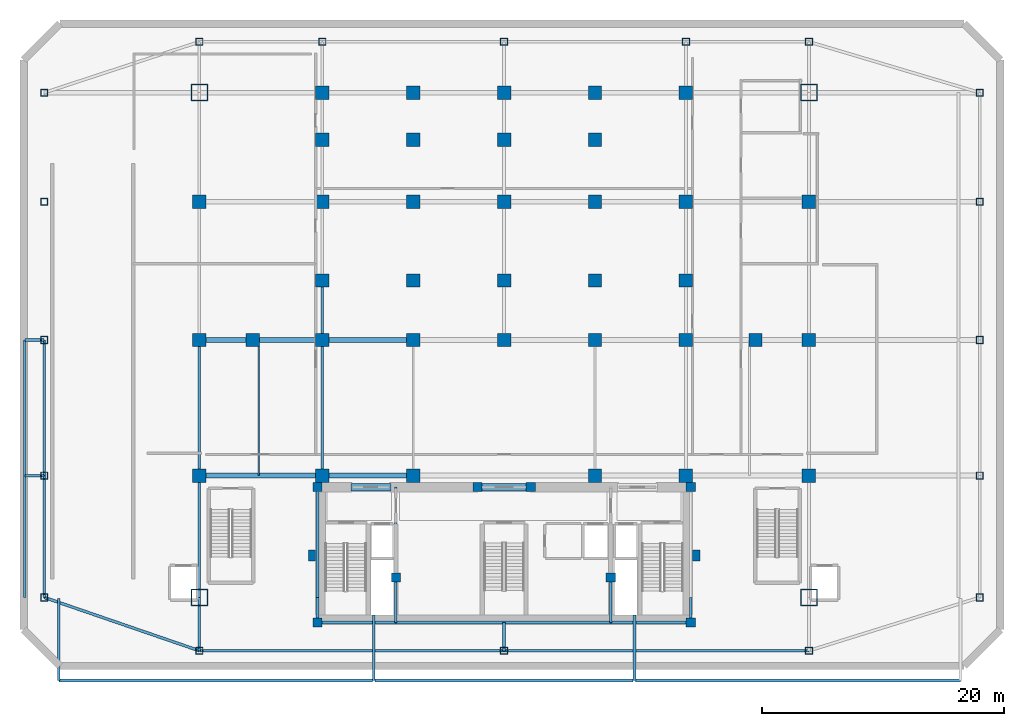
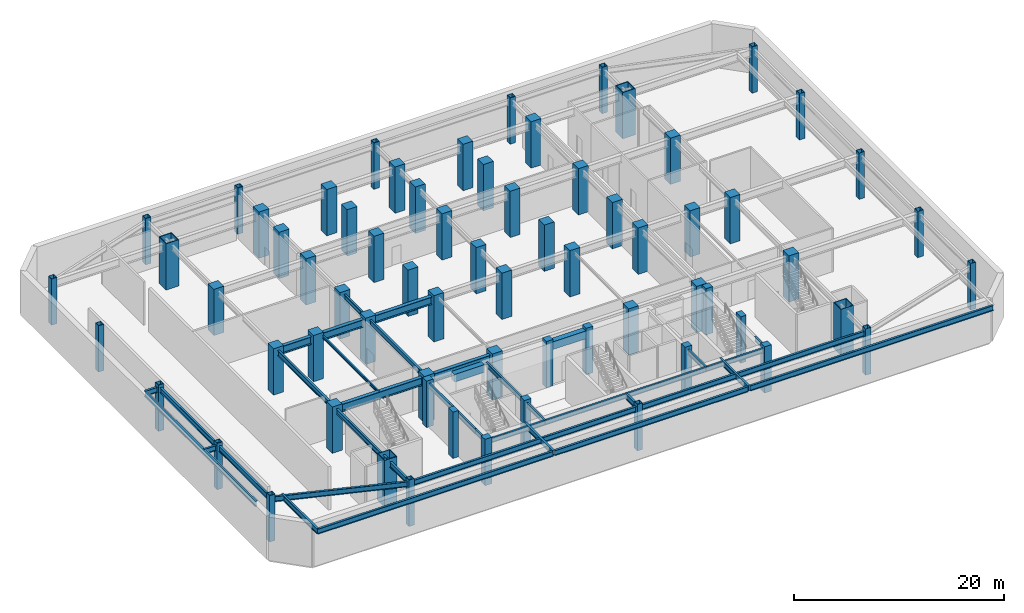
# One storey, part 1 of 9: 68 columns, 37 beams.
"""IFC4 building model written with IfcOpenShell, lengths in metres."""

from ifc_helpers import new_model, si_unit, direction, frame, origin, origin_2d, place, context, subcontext, project, spatial, rectangle, hollow_rectangle, i_section, extrude, material, material_profile, profile_set, type_object, element, save


model = new_model("IFC4")

# Units and contexts
model_context = context("Model", 3, precision=1e-05, world=origin(), true_north=direction((0.0, 1.0)))
body_context = subcontext(model_context, "Body", "Model", "MODEL_VIEW")
ifc_project = project(units=[si_unit("LENGTHUNIT", "METRE"), si_unit("AREAUNIT", "SQUARE_METRE"), si_unit("VOLUMEUNIT", "CUBIC_METRE"), si_unit("PLANEANGLEUNIT", "RADIAN"), si_unit("MASSUNIT", "GRAM", prefix="KILO")], contexts=[model_context])

# Site, building, storey
site_placement = place(None, origin())
site = spatial("IfcSite", under=ifc_project, at=site_placement, CompositionType="ELEMENT")
building_placement = place(site_placement, origin())
building = spatial("IfcBuilding", under=site, at=building_placement, Name="Ventersveld Concourse Tower", CompositionType="ELEMENT")
storey_placement = place(building_placement, frame((0.0, 0.0, -5.39990234375)))
storey = spatial("IfcBuildingStorey", under=building, at=storey_placement, Name="B01", CompositionType="ELEMENT", Elevation=-5.39990234375)

# Columns
ifc_material_1 = material(Name="Structural steel S355ML", Category="steel")
ifc_material_profile_1 = material_profile(ifc_material_1, hollow_rectangle(XDim=0.60009765625, YDim=0.60009765625, WallThickness=0.0400390625, at=origin_2d()), Name="BOX 600x600x40")
ifc_profile_set_1 = profile_set([ifc_material_profile_1], Name="Structural steel S355ML")
column_type_1 = type_object("IfcColumnType", Name="COL-BOX600", PredefinedType="COLUMN", material=ifc_profile_set_1)
for number, where, z_axis, x_axis, name in (
    (1, (-9.199951171875, 2.35009765625, 0.0), (0.0, 0.0, 1.0), (1.0, 0.0, 0.0), "B01 Podium Perimeter Column 01"),
    (2, (-9.199951171875, 12.39990234375, 0.0), (0.0, 0.0, 1.0), (1.0, 0.0, 0.0), "B01 Podium Perimeter Column 02"),
    (3, (-9.199951171875, 23.60009765625, 0.0), (0.0, 0.0, 1.0), (1.0, 0.0, 0.0), "B01 Podium Perimeter Column 03"),
    (4, (-9.199951171875, 35.0, 0.0), (0.0, 0.0, 1.0), (1.0, 0.0, 0.0), "B01 Podium Perimeter Column 04"),
    (5, (-9.199951171875, 44.0, 0.0), (0.0, 0.0, 1.0), (1.0, 0.0, 0.0), "B01 Podium Perimeter Column 05"),
    (6, (68.0, 2.35009765625, 0.0), (0.0, 0.0, 1.0), (1.0, 0.0, 0.0), "B01 Podium Perimeter Column 06"),
    (7, (68.0, 12.39990234375, 0.0), (0.0, 0.0, 1.0), (1.0, 0.0, 0.0), "B01 Podium Perimeter Column 07"),
    (8, (68.0, 23.60009765625, 0.0), (0.0, 0.0, 1.0), (1.0, 0.0, 0.0), "B01 Podium Perimeter Column 08"),
    (9, (68.0, 35.0, 0.0), (0.0, 0.0, 1.0), (1.0, 0.0, 0.0), "B01 Podium Perimeter Column 09"),
    (10, (68.0, 44.0, 0.0), (0.0, 0.0, 1.0), (1.0, 0.0, 0.0), "B01 Podium Perimeter Column 10"),
    (11, (3.60009765625, 48.199951171875, 0.0), (0.0, 0.0, 1.0), (1.0, 0.0, 0.0), "B01 Podium Perimeter Column 11"),
    (12, (13.75, 48.199951171875, 0.0), (0.0, 0.0, 1.0), (1.0, 0.0, 0.0), "B01 Podium Perimeter Column 12"),
    (13, (28.75, 48.199951171875, 0.0), (0.0, 0.0, 1.0), (1.0, 0.0, 0.0), "B01 Podium Perimeter Column 13"),
    (14, (43.75, 48.199951171875, 0.0), (0.0, 0.0, 1.0), (1.0, 0.0, 0.0), "B01 Podium Perimeter Column 14"),
    (15, (53.89990234375, 48.199951171875, 0.0), (0.0, 0.0, 1.0), (1.0, 0.0, 0.0), "B01 Podium Perimeter Column 15"),
    (16, (3.60009765625, -2.050048828125, 0.0), (0.0, 0.0, 1.0), (1.0, 0.0, 0.0), "B01 Podium Perimeter Column 16"),
    (17, (28.75, -2.050048828125, 0.0), (0.0, 0.0, 1.0), (1.0, 0.0, 0.0), "B01 Podium Perimeter Column 17"),
    (18, (53.89990234375, -2.050048828125, 0.0), (0.0, 0.0, 1.0), (1.0, 0.0, 0.0), "B01 Podium Perimeter Column 18"),
):
    element("IfcColumn", number, at=place(storey_placement, frame(where, z_axis=z_axis, x_axis=x_axis)), inside=storey, type_object=column_type_1, Name=name, PredefinedType="COLUMN", context=body_context, shape_type="SweptSolid", body=[
        extrude(hollow_rectangle(XDim=0.60009765625, YDim=0.60009765625, WallThickness=0.0400390625, at=origin_2d()), origin(), (0.0, 0.0, 1.0), 5.39990234375),
    ])
ifc_material_2 = material(Name="Concrete C60/75", Category="concrete")
ifc_material_profile_2 = material_profile(ifc_material_2, rectangle(XDim=1.10009765625, YDim=1.10009765625, at=origin_2d()), Name="RC 1100x1100")
ifc_profile_set_2 = profile_set([ifc_material_profile_2], Name="Concrete C60/75")
column_type_2 = type_object("IfcColumnType", Name="COL-RC1100", PredefinedType="COLUMN", material=ifc_profile_set_2)
for number, where, z_axis, x_axis, name in (
    (19, (3.60009765625, 12.39990234375, 0.0), (0.0, 0.0, 1.0), (1.0, 0.0, 0.0), "B01 Station Grid Column G1B-C"),
    (20, (3.60009765625, 23.60009765625, 0.0), (0.0, 0.0, 1.0), (1.0, 0.0, 0.0), "B01 Station Grid Column G1B-D"),
    (21, (3.60009765625, 35.0, 0.0), (0.0, 0.0, 1.0), (1.0, 0.0, 0.0), "B01 Station Grid Column G1B-E"),
    (22, (13.75, 12.39990234375, 0.0), (0.0, 0.0, 1.0), (1.0, 0.0, 0.0), "B01 Station Grid Column G3-C"),
    (23, (13.75, 23.60009765625, 0.0), (0.0, 0.0, 1.0), (1.0, 0.0, 0.0), "B01 Station Grid Column G3-D"),
    (24, (13.75, 35.0, 0.0), (0.0, 0.0, 1.0), (1.0, 0.0, 0.0), "B01 Station Grid Column G3-E"),
    (25, (13.75, 44.0, 0.0), (0.0, 0.0, 1.0), (1.0, 0.0, 0.0), "B01 Station Grid Column G3-F"),
    (26, (28.75, 23.60009765625, 0.0), (0.0, 0.0, 1.0), (1.0, 0.0, 0.0), "B01 Station Grid Column G5-D"),
    (27, (28.75, 35.0, 0.0), (0.0, 0.0, 1.0), (1.0, 0.0, 0.0), "B01 Station Grid Column G5-E"),
    (28, (28.75, 44.0, 0.0), (0.0, 0.0, 1.0), (1.0, 0.0, 0.0), "B01 Station Grid Column G5-F"),
    (29, (43.75, 12.39990234375, 0.0), (0.0, 0.0, 1.0), (1.0, 0.0, 0.0), "B01 Station Grid Column G7-C"),
    (30, (43.75, 23.60009765625, 0.0), (0.0, 0.0, 1.0), (1.0, 0.0, 0.0), "B01 Station Grid Column G7-D"),
    (31, (43.75, 35.0, 0.0), (0.0, 0.0, 1.0), (1.0, 0.0, 0.0), "B01 Station Grid Column G7-E"),
    (32, (43.75, 44.0, 0.0), (0.0, 0.0, 1.0), (1.0, 0.0, 0.0), "B01 Station Grid Column G7-F"),
    (33, (53.89990234375, 12.39990234375, 0.0), (0.0, 0.0, 1.0), (1.0, 0.0, 0.0), "B01 Station Grid Column G8B-C"),
    (34, (53.89990234375, 23.60009765625, 0.0), (0.0, 0.0, 1.0), (1.0, 0.0, 0.0), "B01 Station Grid Column G8B-D"),
    (35, (53.89990234375, 35.0, 0.0), (0.0, 0.0, 1.0), (1.0, 0.0, 0.0), "B01 Station Grid Column G8B-E"),
    (36, (21.25, 12.39990234375, 0.0), (0.0, 0.0, 1.0), (1.0, 0.0, 0.0), "B01 Station Tower-Line Column G4C"),
    (37, (36.25, 12.39990234375, 0.0), (0.0, 0.0, 1.0), (1.0, 0.0, 0.0), "B01 Station Tower-Line Column G6C"),
    (38, (8.0, 23.60009765625, 0.0), (0.0, 0.0, 1.0), (1.0, 0.0, 0.0), "B01 Station Tower-Line Column G2D"),
    (39, (21.25, 23.60009765625, 0.0), (0.0, 0.0, 1.0), (1.0, 0.0, 0.0), "B01 Station Tower-Line Column G4D"),
    (40, (36.25, 23.60009765625, 0.0), (0.0, 0.0, 1.0), (1.0, 0.0, 0.0), "B01 Station Tower-Line Column G6D"),
    (41, (49.5, 23.60009765625, 0.0), (0.0, 0.0, 1.0), (1.0, 0.0, 0.0), "B01 Station Tower-Line Column G8AD"),
    (42, (13.75, 28.5, 0.0), (0.0, 0.0, 1.0), (1.0, 0.0, 0.0), "B01 Station Tower-Line Column G3DN"),
    (43, (21.25, 28.5, 0.0), (0.0, 0.0, 1.0), (1.0, 0.0, 0.0), "B01 Station Tower-Line Column G4DN"),
    (44, (28.75, 28.5, 0.0), (0.0, 0.0, 1.0), (1.0, 0.0, 0.0), "B01 Station Tower-Line Column G5DN"),
    (45, (36.25, 28.5, 0.0), (0.0, 0.0, 1.0), (1.0, 0.0, 0.0), "B01 Station Tower-Line Column G6DN"),
    (46, (43.75, 28.5, 0.0), (0.0, 0.0, 1.0), (1.0, 0.0, 0.0), "B01 Station Tower-Line Column G7DN"),
    (47, (21.25, 35.0, 0.0), (0.0, 0.0, 1.0), (1.0, 0.0, 0.0), "B01 Station Tower-Line Column G4E"),
    (48, (36.25, 35.0, 0.0), (0.0, 0.0, 1.0), (1.0, 0.0, 0.0), "B01 Station Tower-Line Column G6E"),
    (49, (13.75, 40.1201171875, 0.0), (0.0, 0.0, 1.0), (1.0, 0.0, 0.0), "B01 Station Tower-Line Column G3EM"),
    (50, (21.25, 40.1201171875, 0.0), (0.0, 0.0, 1.0), (1.0, 0.0, 0.0), "B01 Station Tower-Line Column G4EM"),
    (51, (28.75, 40.1201171875, 0.0), (0.0, 0.0, 1.0), (1.0, 0.0, 0.0), "B01 Station Tower-Line Column G5EM"),
    (52, (36.25, 40.1201171875, 0.0), (0.0, 0.0, 1.0), (1.0, 0.0, 0.0), "B01 Station Tower-Line Column G6EM"),
    (53, (21.25, 44.0, 0.0), (0.0, 0.0, 1.0), (1.0, 0.0, 0.0), "B01 Station Tower-Line Column G4F"),
    (54, (36.25, 44.0, 0.0), (0.0, 0.0, 1.0), (1.0, 0.0, 0.0), "B01 Station Tower-Line Column G6F"),
):
    element("IfcColumn", number, at=place(storey_placement, frame(where, z_axis=z_axis, x_axis=x_axis)), inside=storey, type_object=column_type_2, Name=name, PredefinedType="COLUMN", context=body_context, shape_type="SweptSolid", body=[
        extrude(rectangle(XDim=1.10009765625, YDim=1.10009765625, at=origin_2d()), origin(), (0.0, 0.0, 1.0), 5.39990234375),
    ])
ifc_material_3 = material(Name="Concrete C50/60", Category="concrete")
ifc_material_profile_3 = material_profile(ifc_material_3, rectangle(XDim=0.75, YDim=0.75, at=origin_2d()), Name="RC 750x750")
ifc_profile_set_3 = profile_set([ifc_material_profile_3], Name="Concrete C50/60")
column_type_3 = type_object("IfcColumnType", Name="COL-RC750", PredefinedType="COLUMN", material=ifc_profile_set_3)
for number, where, z_axis, x_axis, name in (
    (55, (13.35009765625, 0.280029296875, 0.0), (0.0, 0.0, 1.0), (1.0, 0.0, 0.0), "B01 Core Spine Column CC-SW"),
    (56, (44.14990234375, 0.280029296875, 0.0), (0.0, 0.0, 1.0), (1.0, 0.0, 0.0), "B01 Core Spine Column CC-SE"),
    (57, (13.35009765625, 11.449951171875, 0.0), (0.0, 0.0, 1.0), (1.0, 0.0, 0.0), "B01 Core Spine Column CC-NW"),
    (58, (44.14990234375, 11.449951171875, 0.0), (0.0, 0.0, 1.0), (1.0, 0.0, 0.0), "B01 Core Spine Column CC-NE"),
    (59, (19.820068359375, 4.0, 0.0), (0.0, 0.0, 1.0), (1.0, 0.0, 0.0), "B01 Core Spine Column CM-1"),
    (60, (37.550048828125, 4.0, 0.0), (0.0, 0.0, 1.0), (1.0, 0.0, 0.0), "B01 Core Spine Column CM-2"),
    (61, (26.550048828125, 11.449951171875, 0.0), (0.0, 0.0, 1.0), (1.0, 0.0, 0.0), "B01 Core Spine Column CM-3"),
    (62, (30.949951171875, 11.449951171875, 0.0), (0.0, 0.0, 1.0), (1.0, 0.0, 0.0), "B01 Core Spine Column CM-4"),
):
    element("IfcColumn", number, at=place(storey_placement, frame(where, z_axis=z_axis, x_axis=x_axis)), inside=storey, type_object=column_type_3, Name=name, PredefinedType="COLUMN", context=body_context, shape_type="SweptSolid", body=[
        extrude(rectangle(XDim=0.75, YDim=0.75, at=origin_2d()), origin(), (0.0, 0.0, 1.0), 5.39990234375),
    ])
ifc_material_4 = material(Name="Structural steel S460ML", Category="steel")
ifc_material_profile_4 = material_profile(ifc_material_4, hollow_rectangle(XDim=1.39990234375, YDim=1.39990234375, WallThickness=0.080078125, at=origin_2d()), Name="BOX 1400x1400x80")
ifc_profile_set_4 = profile_set([ifc_material_profile_4], Name="Structural steel S460ML")
column_type_4 = type_object("IfcColumnType", Name="MC-1400", PredefinedType="USERDEFINED", material=ifc_profile_set_4)
for number, where, z_axis, x_axis, name in (
    (63, (3.60009765625, 2.35009765625, 0.0), (0.0, 0.0, 1.0), (1.0, 0.0, 0.0), "B01 Corner Mega-Column MC-SW"),
    (64, (53.89990234375, 2.35009765625, 0.0), (0.0, 0.0, 1.0), (1.0, 0.0, 0.0), "B01 Corner Mega-Column MC-SE"),
    (65, (53.89990234375, 44.0, 0.0), (0.0, 0.0, 1.0), (1.0, 0.0, 0.0), "B01 Corner Mega-Column MC-NE"),
    (66, (3.60009765625, 44.0, 0.0), (0.0, 0.0, 1.0), (1.0, 0.0, 0.0), "B01 Corner Mega-Column MC-NW"),
):
    element("IfcColumn", number, at=place(storey_placement, frame(where, z_axis=z_axis, x_axis=x_axis)), inside=storey, type_object=column_type_4, Name=name, ObjectType="MEGA_COLUMN", PredefinedType="USERDEFINED", context=body_context, shape_type="SweptSolid", body=[
        extrude(hollow_rectangle(XDim=1.39990234375, YDim=1.39990234375, WallThickness=0.080078125, at=origin_2d()), origin(), (0.0, 0.0, 1.0), 5.39990234375),
    ])
ifc_material_profile_5 = material_profile(ifc_material_2, rectangle(XDim=0.60009765625, YDim=0.89990234375, at=origin_2d()), Name="RC 600x900")
ifc_profile_set_5 = profile_set([ifc_material_profile_5], Name="Concrete C60/75")
column_type_5 = type_object("IfcColumnType", Name="PIL-RC600x900", PredefinedType="PILASTER", material=ifc_profile_set_5)
for number, where, z_axis, x_axis, name in (
    (67, (12.89990234375, 5.800048828125, 0.0), (0.0, 0.0, 1.0), (1.0, 0.0, 0.0), "B01 Core Engaged Pilaster PIL-W"),
    (68, (44.60009765625, 5.800048828125, 0.0), (0.0, 0.0, 1.0), (1.0, 0.0, 0.0), "B01 Core Engaged Pilaster PIL-E"),
):
    element("IfcColumn", number, at=place(storey_placement, frame(where, z_axis=z_axis, x_axis=x_axis)), inside=storey, type_object=column_type_5, Name=name, PredefinedType="PILASTER", context=body_context, shape_type="SweptSolid", body=[
        extrude(rectangle(XDim=0.60009765625, YDim=0.89990234375, at=origin_2d()), origin(), (0.0, 0.0, 1.0), 5.39990234375),
    ])

# Beams
ifc_material_profile_6 = material_profile(ifc_material_2, rectangle(XDim=0.60009765625, YDim=0.89990234375, at=origin_2d()), Name="RC 600x900")
ifc_profile_set_6 = profile_set([ifc_material_profile_6], Name="Concrete C60/75")
beam_type_1 = type_object("IfcBeamType", Name="CB-RC600x900L", PredefinedType="LINTEL", material=ifc_profile_set_6)
beam_1_placement = place(storey_placement, frame((16.10009765625, 11.449951171875, 4.599853515625), z_axis=(1.0, 0.0, 0.0), x_axis=(0.0, 1.0, 0.0)))
element("IfcBeam", 69, at=beam_1_placement, inside=storey, type_object=beam_type_1, Name="B01 Core Coupling Lintel Beam 1", PredefinedType="LINTEL", context=body_context, shape_type="SweptSolid", body=[
    extrude(rectangle(XDim=0.60009765625, YDim=0.89990234375, at=origin_2d()), origin(), (0.0, 0.0, 1.0), 3.2998046875),
])
beam_2_placement = place(storey_placement, frame((26.5, 11.449951171875, 4.599853515625), z_axis=(1.0, 0.0, 0.0), x_axis=(0.0, 1.0, 0.0)))
element("IfcBeam", 70, at=beam_2_placement, inside=storey, type_object=beam_type_1, Name="B01 Core Coupling Lintel Beam 2", PredefinedType="LINTEL", context=body_context, shape_type="SweptSolid", body=[
    extrude(rectangle(XDim=0.60009765625, YDim=0.89990234375, at=origin_2d()), origin(), (0.0, 0.0, 1.0), 4.5),
])
ifc_material_5 = material(Name="Structural steel S355J2", Category="steel")
ifc_material_profile_7 = material_profile(ifc_material_5, i_section(OverallWidth=0.39990234375, OverallDepth=0.89990234375, WebThickness=0.02197265625, FlangeThickness=0.035888671875, at=origin_2d()), Name="PG 900x400x36")
ifc_profile_set_7 = profile_set([ifc_material_profile_7], Name="Structural steel S355J2")
beam_type_2 = type_object("IfcBeamType", Name="GRD-PG900", PredefinedType="USERDEFINED", material=ifc_profile_set_7)
beam_3_placement = place(storey_placement, frame((3.60009765625, 12.39990234375, 4.599853515625), z_axis=(1.0, 0.0, 0.0), x_axis=(0.0, 1.0, 0.0)))
element("IfcBeam", 71, at=beam_3_placement, inside=storey, type_object=beam_type_2, Name="B01 Podium Primary Girder Y=12.4m", ObjectType="GIRDER", PredefinedType="USERDEFINED", context=body_context, shape_type="SweptSolid", body=[
    extrude(i_section(OverallWidth=0.39990234375, OverallDepth=0.89990234375, WebThickness=0.02197265625, FlangeThickness=0.035888671875, at=origin_2d()), origin(), (0.0, 0.0, 1.0), 10.14990234375),
])
beam_4_placement = place(storey_placement, frame((13.75, 12.39990234375, 4.599853515625), z_axis=(1.0, 0.0, 0.0), x_axis=(0.0, 1.0, 0.0)))
element("IfcBeam", 72, at=beam_4_placement, inside=storey, type_object=beam_type_2, Name="B01 Podium Primary Girder Y=12.4m", ObjectType="GIRDER", PredefinedType="USERDEFINED", context=body_context, shape_type="SweptSolid", body=[
    extrude(i_section(OverallWidth=0.39990234375, OverallDepth=0.89990234375, WebThickness=0.02197265625, FlangeThickness=0.035888671875, at=origin_2d()), origin(), (0.0, 0.0, 1.0), 7.5),
])
beam_5_placement = place(storey_placement, frame((3.60009765625, 23.60009765625, 4.599853515625), z_axis=(1.0, 0.0, 0.0), x_axis=(0.0, 1.0, 0.0)))
element("IfcBeam", 73, at=beam_5_placement, inside=storey, type_object=beam_type_2, Name="B01 Podium Primary Girder Y=23.6m", ObjectType="GIRDER", PredefinedType="USERDEFINED", context=body_context, shape_type="SweptSolid", body=[
    extrude(i_section(OverallWidth=0.39990234375, OverallDepth=0.89990234375, WebThickness=0.02197265625, FlangeThickness=0.035888671875, at=origin_2d()), origin(), (0.0, 0.0, 1.0), 4.39990234375),
])
beam_6_placement = place(storey_placement, frame((8.0, 23.60009765625, 4.599853515625), z_axis=(1.0, 0.0, 0.0), x_axis=(0.0, 1.0, 0.0)))
element("IfcBeam", 74, at=beam_6_placement, inside=storey, type_object=beam_type_2, Name="B01 Podium Primary Girder Y=23.6m", ObjectType="GIRDER", PredefinedType="USERDEFINED", context=body_context, shape_type="SweptSolid", body=[
    extrude(i_section(OverallWidth=0.39990234375, OverallDepth=0.89990234375, WebThickness=0.02197265625, FlangeThickness=0.035888671875, at=origin_2d()), origin(), (0.0, 0.0, 1.0), 5.75),
])
beam_7_placement = place(storey_placement, frame((13.75, 23.60009765625, 4.599853515625), z_axis=(1.0, 0.0, 0.0), x_axis=(0.0, 1.0, 0.0)))
element("IfcBeam", 75, at=beam_7_placement, inside=storey, type_object=beam_type_2, Name="B01 Podium Primary Girder Y=23.6m", ObjectType="GIRDER", PredefinedType="USERDEFINED", context=body_context, shape_type="SweptSolid", body=[
    extrude(i_section(OverallWidth=0.39990234375, OverallDepth=0.89990234375, WebThickness=0.02197265625, FlangeThickness=0.035888671875, at=origin_2d()), origin(), (0.0, 0.0, 1.0), 7.5),
])
ifc_material_profile_8 = material_profile(ifc_material_5, i_section(OverallWidth=0.2119140625, OverallDepth=0.54443359375, WebThickness=0.0126953125, FlangeThickness=0.021240234375, FilletRadius=0.0126953125, at=origin_2d()), Name="UB 533x210x122")
ifc_profile_set_8 = profile_set([ifc_material_profile_8], Name="Structural steel S355J2")
beam_type_3 = type_object("IfcBeamType", Name="GRD-UB533H", PredefinedType="T_BEAM", material=ifc_profile_set_8)
beam_8_placement = place(storey_placement, frame((13.35009765625, 0.280029296875, 4.777587890625), z_axis=(0.0, 1.0, 0.0), x_axis=(-1.0, 0.0, 0.0)))
element("IfcBeam", 76, at=beam_8_placement, inside=storey, type_object=beam_type_3, Name="B01 Core West Tie Beam S", PredefinedType="T_BEAM", context=body_context, shape_type="SweptSolid", body=[
    extrude(i_section(OverallWidth=0.2119140625, OverallDepth=0.54443359375, WebThickness=0.0126953125, FlangeThickness=0.021240234375, FilletRadius=0.0126953125, at=origin_2d()), origin(), (0.0, 0.0, 1.0), 2.070068359375),
])
beam_9_placement = place(storey_placement, frame((13.35009765625, 2.35009765625, 4.777587890625), z_axis=(0.0, 1.0, 0.0), x_axis=(-1.0, 0.0, 0.0)))
element("IfcBeam", 77, at=beam_9_placement, inside=storey, type_object=beam_type_3, Name="B01 Core West Tie Beam N", PredefinedType="T_BEAM", context=body_context, shape_type="SweptSolid", body=[
    extrude(i_section(OverallWidth=0.2119140625, OverallDepth=0.54443359375, WebThickness=0.0126953125, FlangeThickness=0.021240234375, FilletRadius=0.0126953125, at=origin_2d()), origin(), (0.0, 0.0, 1.0), 9.099853515625),
])
beam_10_placement = place(storey_placement, frame((44.14990234375, 0.280029296875, 4.777587890625), z_axis=(0.0, 1.0, 0.0), x_axis=(-1.0, 0.0, 0.0)))
element("IfcBeam", 78, at=beam_10_placement, inside=storey, type_object=beam_type_3, Name="B01 Core East Tie Beam S", PredefinedType="T_BEAM", context=body_context, shape_type="SweptSolid", body=[
    extrude(i_section(OverallWidth=0.2119140625, OverallDepth=0.54443359375, WebThickness=0.0126953125, FlangeThickness=0.021240234375, FilletRadius=0.0126953125, at=origin_2d()), origin(), (0.0, 0.0, 1.0), 2.070068359375),
])
beam_11_placement = place(storey_placement, frame((13.35009765625, 0.280029296875, 4.777587890625), z_axis=(1.0, 0.0, 0.0), x_axis=(0.0, 1.0, 0.0)))
element("IfcBeam", 79, at=beam_11_placement, inside=storey, type_object=beam_type_3, Name="B01 Core South Tie Beam W", PredefinedType="T_BEAM", context=body_context, shape_type="SweptSolid", body=[
    extrude(i_section(OverallWidth=0.2119140625, OverallDepth=0.54443359375, WebThickness=0.0126953125, FlangeThickness=0.021240234375, FilletRadius=0.0126953125, at=origin_2d()), origin(), (0.0, 0.0, 1.0), 6.469970703125),
])
beam_12_placement = place(storey_placement, frame((19.820068359375, 0.280029296875, 4.777587890625), z_axis=(1.0, 0.0, 0.0), x_axis=(0.0, 1.0, 0.0)))
element("IfcBeam", 80, at=beam_12_placement, inside=storey, type_object=beam_type_3, Name="B01 Core South Tie Beam C", PredefinedType="T_BEAM", context=body_context, shape_type="SweptSolid", body=[
    extrude(i_section(OverallWidth=0.2119140625, OverallDepth=0.54443359375, WebThickness=0.0126953125, FlangeThickness=0.021240234375, FilletRadius=0.0126953125, at=origin_2d()), origin(), (0.0, 0.0, 1.0), 17.72998046875),
])
beam_13_placement = place(storey_placement, frame((37.550048828125, 0.280029296875, 4.777587890625), z_axis=(1.0, 0.0, 0.0), x_axis=(0.0, 1.0, 0.0)))
element("IfcBeam", 81, at=beam_13_placement, inside=storey, type_object=beam_type_3, Name="B01 Core South Tie Beam E", PredefinedType="T_BEAM", context=body_context, shape_type="SweptSolid", body=[
    extrude(i_section(OverallWidth=0.2119140625, OverallDepth=0.54443359375, WebThickness=0.0126953125, FlangeThickness=0.021240234375, FilletRadius=0.0126953125, at=origin_2d()), origin(), (0.0, 0.0, 1.0), 6.599853515625),
])
beam_14_placement = place(storey_placement, frame((19.820068359375, 0.280029296875, 4.777587890625), z_axis=(0.0, 1.0, 0.0), x_axis=(-1.0, 0.0, 0.0)))
element("IfcBeam", 82, at=beam_14_placement, inside=storey, type_object=beam_type_3, Name="B01 Core Spine N-S Tie Beam W1", PredefinedType="T_BEAM", context=body_context, shape_type="SweptSolid", body=[
    extrude(i_section(OverallWidth=0.2119140625, OverallDepth=0.54443359375, WebThickness=0.0126953125, FlangeThickness=0.021240234375, FilletRadius=0.0126953125, at=origin_2d()), origin(), (0.0, 0.0, 1.0), 3.719970703125),
])
beam_15_placement = place(storey_placement, frame((19.820068359375, 4.0, 4.777587890625), z_axis=(0.0, 1.0, 0.0), x_axis=(-1.0, 0.0, 0.0)))
element("IfcBeam", 83, at=beam_15_placement, inside=storey, type_object=beam_type_3, Name="B01 Core Spine N-S Tie Beam W2", PredefinedType="T_BEAM", context=body_context, shape_type="SweptSolid", body=[
    extrude(i_section(OverallWidth=0.2119140625, OverallDepth=0.54443359375, WebThickness=0.0126953125, FlangeThickness=0.021240234375, FilletRadius=0.0126953125, at=origin_2d()), origin(), (0.0, 0.0, 1.0), 7.449951171875),
])
beam_16_placement = place(storey_placement, frame((37.550048828125, 0.280029296875, 4.777587890625), z_axis=(0.0, 1.0, 0.0), x_axis=(-1.0, 0.0, 0.0)))
element("IfcBeam", 84, at=beam_16_placement, inside=storey, type_object=beam_type_3, Name="B01 Core Spine N-S Tie Beam E1", PredefinedType="T_BEAM", context=body_context, shape_type="SweptSolid", body=[
    extrude(i_section(OverallWidth=0.2119140625, OverallDepth=0.54443359375, WebThickness=0.0126953125, FlangeThickness=0.021240234375, FilletRadius=0.0126953125, at=origin_2d()), origin(), (0.0, 0.0, 1.0), 3.719970703125),
])
ifc_material_profile_9 = material_profile(ifc_material_5, i_section(OverallWidth=0.230224609375, OverallDepth=0.6171875, WebThickness=0.01318359375, FlangeThickness=0.022216796875, FilletRadius=0.0126953125, at=origin_2d()), Name="UB 610x229x140")
ifc_profile_set_9 = profile_set([ifc_material_profile_9], Name="Structural steel S355J2")
beam_type_4 = type_object("IfcBeamType", Name="GRD-UB610", PredefinedType="USERDEFINED", material=ifc_profile_set_9)
beam_17_placement = place(storey_placement, frame((-9.199951171875, 2.35009765625, 4.7412109375), z_axis=(0.945683653417, -0.325088338239, 0.0), x_axis=(0.325088338239, 0.945683653417, 0.0)))
element("IfcBeam", 85, at=beam_17_placement, inside=storey, type_object=beam_type_4, Name="B01 Plaza Support Girder SW", ObjectType="GIRDER", PredefinedType="USERDEFINED", context=body_context, shape_type="SweptSolid", body=[
    extrude(i_section(OverallWidth=0.230224609375, OverallDepth=0.6171875, WebThickness=0.01318359375, FlangeThickness=0.022216796875, FilletRadius=0.0126953125, at=origin_2d()), origin(), (0.0, 0.0, 1.0), 13.53515625),
])
for number, where, z_axis, x_axis, name in (
    (86, (3.60009765625, -2.050048828125, 4.7412109375), (1.0, 0.0, 0.0), (0.0, 1.0, 0.0), "B01 Plaza Support Girder SC1"),
    (87, (28.75, -2.050048828125, 4.7412109375), (1.0, 0.0, 0.0), (0.0, 1.0, 0.0), "B01 Plaza Support Girder SC2"),
):
    element("IfcBeam", number, at=place(storey_placement, frame(where, z_axis=z_axis, x_axis=x_axis)), inside=storey, type_object=beam_type_4, Name=name, ObjectType="GIRDER", PredefinedType="USERDEFINED", context=body_context, shape_type="SweptSolid", body=[
        extrude(i_section(OverallWidth=0.230224609375, OverallDepth=0.6171875, WebThickness=0.01318359375, FlangeThickness=0.022216796875, FilletRadius=0.0126953125, at=origin_2d()), origin(), (0.0, 0.0, 1.0), 25.14990234375),
    ])
for number, where, z_axis, x_axis, name in (
    (88, (18.0, -4.5, 4.7412109375), (0.0, 1.0, 0.0), (-1.0, 0.0, 0.0), "B01 South Forecourt Cantilever Rib 1"),
    (89, (39.5, -4.5, 4.7412109375), (0.0, 1.0, 0.0), (-1.0, 0.0, 0.0), "B01 South Forecourt Cantilever Rib 2"),
):
    element("IfcBeam", number, at=place(storey_placement, frame(where, z_axis=z_axis, x_axis=x_axis)), inside=storey, type_object=beam_type_4, Name=name, ObjectType="GIRDER", PredefinedType="USERDEFINED", context=body_context, shape_type="SweptSolid", body=[
        extrude(i_section(OverallWidth=0.230224609375, OverallDepth=0.6171875, WebThickness=0.01318359375, FlangeThickness=0.022216796875, FilletRadius=0.0126953125, at=origin_2d()), origin(), (0.0, 0.0, 1.0), 5.419921875),
    ])
beam_18_placement = place(storey_placement, frame((-8.0, -4.5, 4.7412109375), z_axis=(1.0, 0.0, 0.0), x_axis=(0.0, 1.0, 0.0)))
element("IfcBeam", 90, at=beam_18_placement, inside=storey, type_object=beam_type_4, Name="B01 South Forecourt Edge Header 1", ObjectType="GIRDER", PredefinedType="USERDEFINED", context=body_context, shape_type="SweptSolid", body=[
    extrude(i_section(OverallWidth=0.230224609375, OverallDepth=0.6171875, WebThickness=0.01318359375, FlangeThickness=0.022216796875, FilletRadius=0.0126953125, at=origin_2d()), origin(), (0.0, 0.0, 1.0), 25.89990234375),
])
beam_19_placement = place(storey_placement, frame((18.10009765625, -4.5, 4.7412109375), z_axis=(1.0, 0.0, 0.0), x_axis=(0.0, 1.0, 0.0)))
element("IfcBeam", 91, at=beam_19_placement, inside=storey, type_object=beam_type_4, Name="B01 South Forecourt Edge Header 2", ObjectType="GIRDER", PredefinedType="USERDEFINED", context=body_context, shape_type="SweptSolid", body=[
    extrude(i_section(OverallWidth=0.230224609375, OverallDepth=0.6171875, WebThickness=0.01318359375, FlangeThickness=0.022216796875, FilletRadius=0.0126953125, at=origin_2d()), origin(), (0.0, 0.0, 1.0), 21.2998046875),
])
beam_20_placement = place(storey_placement, frame((39.60009765625, -4.5, 4.7412109375), z_axis=(1.0, 0.0, 0.0), x_axis=(0.0, 1.0, 0.0)))
element("IfcBeam", 92, at=beam_20_placement, inside=storey, type_object=beam_type_4, Name="B01 South Forecourt Edge Header 3", ObjectType="GIRDER", PredefinedType="USERDEFINED", context=body_context, shape_type="SweptSolid", body=[
    extrude(i_section(OverallWidth=0.230224609375, OverallDepth=0.6171875, WebThickness=0.01318359375, FlangeThickness=0.022216796875, FilletRadius=0.0126953125, at=origin_2d()), origin(), (0.0, 0.0, 1.0), 26.7998046875),
])
beam_21_placement = place(storey_placement, frame((-8.0, -4.5, 4.7412109375), z_axis=(0.0, 1.0, 0.0), x_axis=(-1.0, 0.0, 0.0)))
element("IfcBeam", 93, at=beam_21_placement, inside=storey, type_object=beam_type_4, Name="B01 South Forecourt West Rib", ObjectType="GIRDER", PredefinedType="USERDEFINED", context=body_context, shape_type="SweptSolid", body=[
    extrude(i_section(OverallWidth=0.230224609375, OverallDepth=0.6171875, WebThickness=0.01318359375, FlangeThickness=0.022216796875, FilletRadius=0.0126953125, at=origin_2d()), origin(), (0.0, 0.0, 1.0), 6.75),
])
beam_22_placement = place(storey_placement, frame((-9.199951171875, 2.35009765625, 4.7412109375), z_axis=(0.0, 1.0, 0.0), x_axis=(-1.0, 0.0, 0.0)))
element("IfcBeam", 94, at=beam_22_placement, inside=storey, type_object=beam_type_4, Name="B01 West Plaza Edge Girder 1", ObjectType="GIRDER", PredefinedType="USERDEFINED", context=body_context, shape_type="SweptSolid", body=[
    extrude(i_section(OverallWidth=0.230224609375, OverallDepth=0.6171875, WebThickness=0.01318359375, FlangeThickness=0.022216796875, FilletRadius=0.0126953125, at=origin_2d()), origin(), (0.0, 0.0, 1.0), 10.0498046875),
])
beam_23_placement = place(storey_placement, frame((-9.199951171875, 12.39990234375, 4.7412109375), z_axis=(0.0, 1.0, 0.0), x_axis=(-1.0, 0.0, 0.0)))
element("IfcBeam", 95, at=beam_23_placement, inside=storey, type_object=beam_type_4, Name="B01 West Plaza Edge Girder 2", ObjectType="GIRDER", PredefinedType="USERDEFINED", context=body_context, shape_type="SweptSolid", body=[
    extrude(i_section(OverallWidth=0.230224609375, OverallDepth=0.6171875, WebThickness=0.01318359375, FlangeThickness=0.022216796875, FilletRadius=0.0126953125, at=origin_2d()), origin(), (0.0, 0.0, 1.0), 11.2001953125),
])
beam_24_placement = place(storey_placement, frame((-10.800048828125, 2.35009765625, 4.7412109375), z_axis=(0.0, 1.0, 0.0), x_axis=(-1.0, 0.0, 0.0)))
element("IfcBeam", 96, at=beam_24_placement, inside=storey, type_object=beam_type_4, Name="B01 West Plaza Outer Girder", ObjectType="GIRDER", PredefinedType="USERDEFINED", context=body_context, shape_type="SweptSolid", body=[
    extrude(i_section(OverallWidth=0.230224609375, OverallDepth=0.6171875, WebThickness=0.01318359375, FlangeThickness=0.022216796875, FilletRadius=0.0126953125, at=origin_2d()), origin(), (0.0, 0.0, 1.0), 21.25),
])
for number, where, z_axis, x_axis, name in (
    (97, (-10.800048828125, 12.39990234375, 4.7412109375), (1.0, 0.0, 0.0), (0.0, 1.0, 0.0), "B01 West Plaza Cross Tie 1"),
    (98, (-10.800048828125, 23.60009765625, 4.7412109375), (1.0, 0.0, 0.0), (0.0, 1.0, 0.0), "B01 West Plaza Cross Tie 2"),
):
    element("IfcBeam", number, at=place(storey_placement, frame(where, z_axis=z_axis, x_axis=x_axis)), inside=storey, type_object=beam_type_4, Name=name, ObjectType="GIRDER", PredefinedType="USERDEFINED", context=body_context, shape_type="SweptSolid", body=[
        extrude(i_section(OverallWidth=0.230224609375, OverallDepth=0.6171875, WebThickness=0.01318359375, FlangeThickness=0.022216796875, FilletRadius=0.0126953125, at=origin_2d()), origin(), (0.0, 0.0, 1.0), 1.60009765625),
    ])
beam_25_placement = place(storey_placement, frame((3.60009765625, -2.050048828125, 4.7412109375), z_axis=(0.0, 1.0, 0.0), x_axis=(-1.0, 0.0, 0.0)))
element("IfcBeam", 99, at=beam_25_placement, inside=storey, type_object=beam_type_4, Name="B01 Podium N-S Girder X=3.60m", ObjectType="GIRDER", PredefinedType="USERDEFINED", context=body_context, shape_type="SweptSolid", body=[
    extrude(i_section(OverallWidth=0.230224609375, OverallDepth=0.6171875, WebThickness=0.01318359375, FlangeThickness=0.022216796875, FilletRadius=0.0126953125, at=origin_2d()), origin(), (0.0, 0.0, 1.0), 4.400146484375),
])
beam_26_placement = place(storey_placement, frame((3.60009765625, 2.35009765625, 4.7412109375), z_axis=(0.0, 1.0, 0.0), x_axis=(-1.0, 0.0, 0.0)))
element("IfcBeam", 100, at=beam_26_placement, inside=storey, type_object=beam_type_4, Name="B01 Podium N-S Girder X=3.60m", ObjectType="GIRDER", PredefinedType="USERDEFINED", context=body_context, shape_type="SweptSolid", body=[
    extrude(i_section(OverallWidth=0.230224609375, OverallDepth=0.6171875, WebThickness=0.01318359375, FlangeThickness=0.022216796875, FilletRadius=0.0126953125, at=origin_2d()), origin(), (0.0, 0.0, 1.0), 10.0498046875),
])
for number, where, z_axis, x_axis, name in (
    (101, (3.60009765625, 12.39990234375, 4.7412109375), (0.0, 1.0, 0.0), (-1.0, 0.0, 0.0), "B01 Podium N-S Girder X=3.60m"),
    (102, (13.75, 12.39990234375, 4.7412109375), (0.0, 1.0, 0.0), (-1.0, 0.0, 0.0), "B01 Podium N-S Girder X=13.75m"),
):
    element("IfcBeam", number, at=place(storey_placement, frame(where, z_axis=z_axis, x_axis=x_axis)), inside=storey, type_object=beam_type_4, Name=name, ObjectType="GIRDER", PredefinedType="USERDEFINED", context=body_context, shape_type="SweptSolid", body=[
        extrude(i_section(OverallWidth=0.230224609375, OverallDepth=0.6171875, WebThickness=0.01318359375, FlangeThickness=0.022216796875, FilletRadius=0.0126953125, at=origin_2d()), origin(), (0.0, 0.0, 1.0), 11.2001953125),
    ])
beam_27_placement = place(storey_placement, frame((13.75, 23.60009765625, 4.7412109375), z_axis=(0.0, 1.0, 0.0), x_axis=(-1.0, 0.0, 0.0)))
element("IfcBeam", 103, at=beam_27_placement, inside=storey, type_object=beam_type_4, Name="B01 Podium N-S Girder X=13.75m", ObjectType="GIRDER", PredefinedType="USERDEFINED", context=body_context, shape_type="SweptSolid", body=[
    extrude(i_section(OverallWidth=0.230224609375, OverallDepth=0.6171875, WebThickness=0.01318359375, FlangeThickness=0.022216796875, FilletRadius=0.0126953125, at=origin_2d()), origin(), (0.0, 0.0, 1.0), 4.89990234375),
])
beam_28_placement = place(storey_placement, frame((28.75, -2.050048828125, 4.7412109375), z_axis=(0.0, 1.0, 0.0), x_axis=(-1.0, 0.0, 0.0)))
element("IfcBeam", 104, at=beam_28_placement, inside=storey, type_object=beam_type_4, Name="B01 Podium N-S Girder X=28.75m", ObjectType="GIRDER", PredefinedType="USERDEFINED", context=body_context, shape_type="SweptSolid", body=[
    extrude(i_section(OverallWidth=0.230224609375, OverallDepth=0.6171875, WebThickness=0.01318359375, FlangeThickness=0.022216796875, FilletRadius=0.0126953125, at=origin_2d()), origin(), (0.0, 0.0, 1.0), 2.330078125),
])
ifc_material_profile_10 = material_profile(ifc_material_5, i_section(OverallWidth=0.14990234375, OverallDepth=0.300048828125, WebThickness=0.007080078125, FlangeThickness=0.0107421875, FilletRadius=0.014892578125, at=origin_2d()), Name="IPE 300")
ifc_profile_set_10 = profile_set([ifc_material_profile_10], Name="Structural steel S355J2")
beam_type_5 = type_object("IfcBeamType", Name="JST-IPE300", PredefinedType="JOIST", material=ifc_profile_set_10)
beam_29_placement = place(storey_placement, frame((8.5, 12.39990234375, 4.89990234375), z_axis=(0.0, 1.0, 0.0), x_axis=(-1.0, 0.0, 0.0)))
element("IfcBeam", 105, at=beam_29_placement, inside=storey, type_object=beam_type_5, Name="B01 Podium Floor Joist X=8.50m", PredefinedType="JOIST", context=body_context, shape_type="SweptSolid", body=[
    extrude(i_section(OverallWidth=0.14990234375, OverallDepth=0.300048828125, WebThickness=0.007080078125, FlangeThickness=0.0107421875, FilletRadius=0.014892578125, at=origin_2d()), origin(), (0.0, 0.0, 1.0), 11.2001953125),
])

save(model, "model.ifc")
